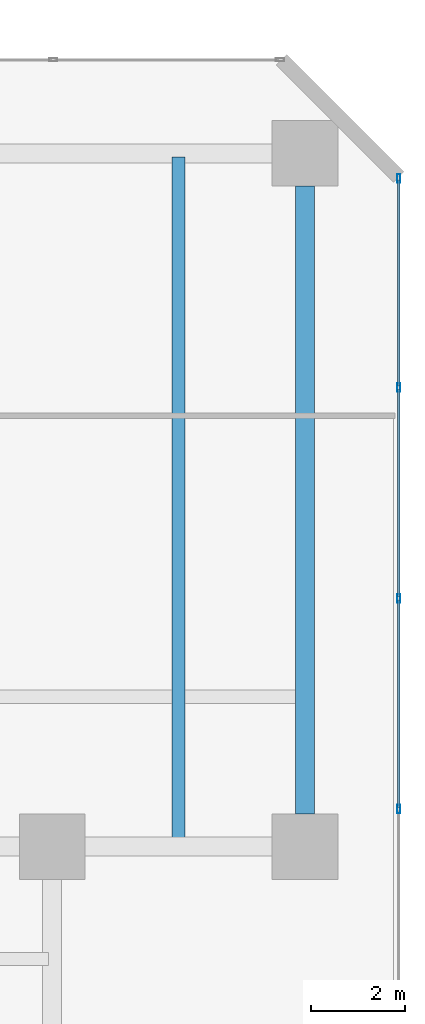
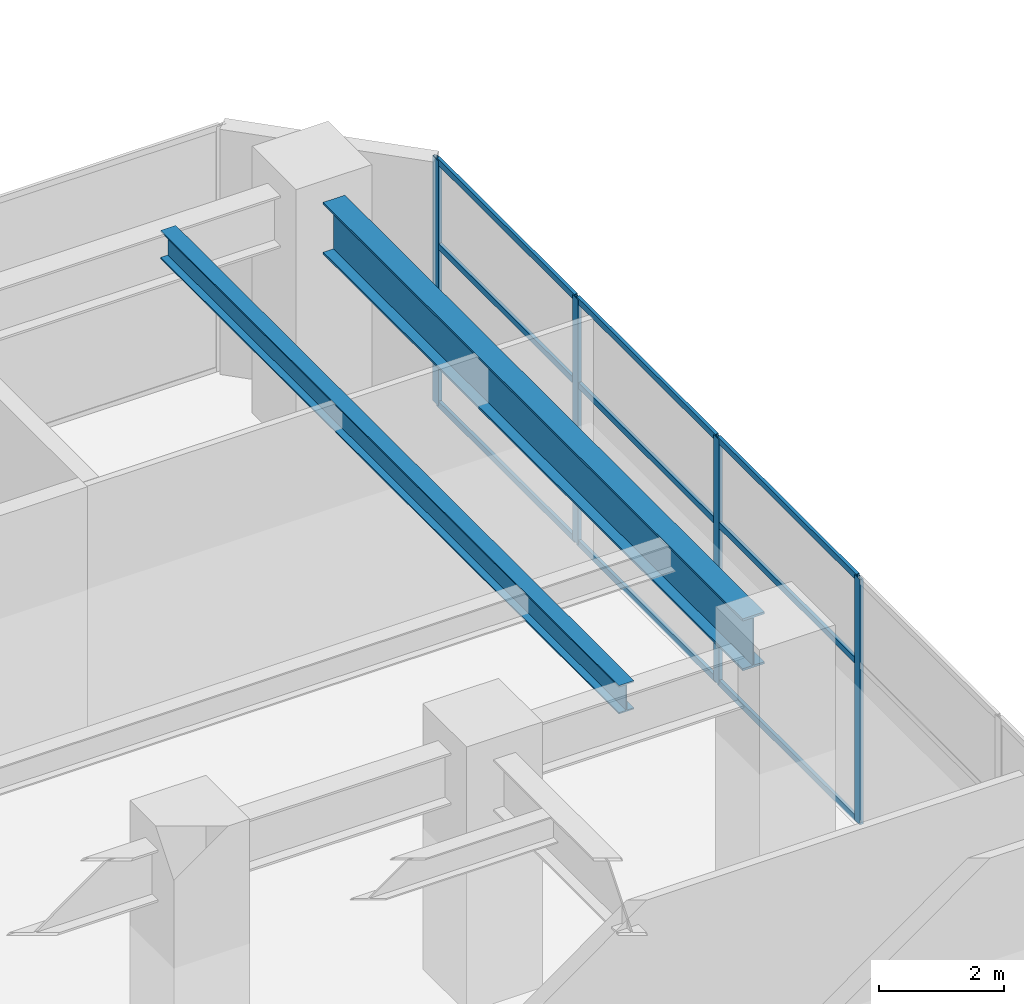
# One storey, part 11 of 29: 13 members, 2 beams, 1 element without a shape of its own.
"""IFC4 building model written with IfcOpenShell, lengths in metres."""

from ifc_helpers import new_model, si_unit, direction, frame, origin, origin_2d, place, context, subcontext, project, spatial, hollow_rectangle, i_section, extrude, material, layer, layer_set, material_profile, profile_set, type_object, element, aggregate, save


model = new_model("IFC4")

# Units and contexts
model_context = context("Model", 3, precision=1e-05, world=origin(), true_north=direction((0.0, 1.0)))
body_context = subcontext(model_context, "Body", "Model", "MODEL_VIEW")
ifc_project = project(units=[si_unit("LENGTHUNIT", "METRE"), si_unit("AREAUNIT", "SQUARE_METRE"), si_unit("VOLUMEUNIT", "CUBIC_METRE"), si_unit("PLANEANGLEUNIT", "RADIAN"), si_unit("MASSUNIT", "GRAM", prefix="KILO")], contexts=[model_context])

# Site, building, storey
site_placement = place(None, origin())
site = spatial("IfcSite", under=ifc_project, at=site_placement, CompositionType="ELEMENT")
building_placement = place(site_placement, origin())
building = spatial("IfcBuilding", under=site, at=building_placement, Name="Mawjaban Terraces University", CompositionType="ELEMENT")
storey_placement = place(building_placement, frame((0.0, 0.0, 20.800048828125)))
storey = spatial("IfcBuildingStorey", under=building, at=storey_placement, Name="L04", CompositionType="ELEMENT", Elevation=20.800048828125)

# Beams
ifc_material_1 = material(Name="Steel ASTM A913 Grade 65", Category="steel")
ifc_material_profile_1 = material_profile(ifc_material_1, i_section(OverallWidth=0.402099609375, OverallDepth=1.011962890625, WebThickness=0.02392578125, FlangeThickness=0.0400390625, at=origin_2d()), Name="W1000X443")
ifc_profile_set_1 = profile_set([ifc_material_profile_1], Name="Steel ASTM A913 Grade 65")
beam_type_1 = type_object("IfcBeamType", Name="Beam_B_W1000X443", PredefinedType="BEAM", material=ifc_profile_set_1)
beam_1_placement = place(storey_placement, frame((74.0, 15.89990234375, 4.27392578125), z_axis=(0.0, 1.0, 0.0), x_axis=(-1.0, 0.0, 0.0)))
element("IfcBeam", 1, at=beam_1_placement, inside=storey, type_object=beam_type_1, Name="L04 Beam BM-L04-NS-20", PredefinedType="BEAM", context=body_context, shape_type="SweptSolid", body=[
    extrude(i_section(OverallWidth=0.402099609375, OverallDepth=1.011962890625, WebThickness=0.02392578125, FlangeThickness=0.0400390625, at=origin_2d()), origin(), (0.0, 0.0, 1.0), 13.400146484375),
])
ifc_material_2 = material(Name="Steel ASTM A572 Grade 50", Category="steel")
ifc_material_profile_2 = material_profile(ifc_material_2, i_section(OverallWidth=0.281005859375, OverallDepth=0.551025390625, WebThickness=0.01513671875, FlangeThickness=0.02587890625, at=origin_2d()), Name="W530X182")
ifc_profile_set_2 = profile_set([ifc_material_profile_2], Name="Steel ASTM A572 Grade 50")
beam_type_2 = type_object("IfcBeamType", Name="Beam_J_W530X182", PredefinedType="JOIST", material=ifc_profile_set_2)
beam_2_placement = place(storey_placement, frame((71.300048828125, 15.280029296875, 4.50390625), z_axis=(0.0, 1.0, 0.0), x_axis=(-1.0, 0.0, 0.0)))
element("IfcBeam", 2, at=beam_2_placement, inside=storey, type_object=beam_type_2, Name="L04 Composite Joist JST-L04-NS-27", PredefinedType="JOIST", context=body_context, shape_type="SweptSolid", body=[
    extrude(i_section(OverallWidth=0.281005859375, OverallDepth=0.551025390625, WebThickness=0.01513671875, FlangeThickness=0.02587890625, at=origin_2d()), origin(), (0.0, 0.0, 1.0), 14.639892578125),
])

# Curtain wall, members
ifc_material_3 = material(Name="Anodised aluminium 6063-T6 and solar-control low-E glass", Category="aluminium")
ifc_layer = layer(ifc_material_3, 0.175048828125)
ifc_layer_set = layer_set([ifc_layer], Name="Anodised aluminium 6063-T6 and solar-control low-E glass")
curtain_wall_type = type_object("IfcCurtainWallType", Name="CWSystem_02_PodiumLibrary", PredefinedType="NOTDEFINED", material=ifc_layer_set)
curtain_wall_placement = place(storey_placement, origin())
curtain_wall = element("IfcCurtainWall", 3, at=curtain_wall_placement, inside=storey, type_object=curtain_wall_type, Name="L04 Curtain Wall CW-02 Run 3.1", PredefinedType="NOTDEFINED")
ifc_material_4 = material(Name="Anodised aluminium 6063-T6", Category="aluminium")
ifc_material_profile_3 = material_profile(ifc_material_4, hollow_rectangle(XDim=0.06494140625, YDim=0.179931640625, WallThickness=0.00390625, at=origin_2d()), Name="ALU180X65X4")
ifc_profile_set_3 = profile_set([ifc_material_profile_3], Name="Anodised aluminium 6063-T6")
member_type_1 = type_object("IfcMemberType", Name="Mullion_CW-02", PredefinedType="MULLION", material=ifc_profile_set_3)
member_1_placement = place(storey_placement, frame((76.0, 16.0, 0.0), z_axis=(0.0, 0.0, 1.0), x_axis=(-1.0, 0.0, 0.0)))
member_1 = element("IfcMember", 4, at=member_1_placement, type_object=member_type_1, Name="CW-02 mullion 4", PredefinedType="MULLION", context=body_context, shape_type="SweptSolid", body=[
    extrude(hollow_rectangle(XDim=0.06494140625, YDim=0.179931640625, WallThickness=0.00390625, at=origin_2d()), origin(), (0.0, 0.0, 1.0), 4.780029296875),
])
member_2_placement = place(storey_placement, frame((76.0, 20.5, 0.0), z_axis=(0.0, 0.0, 1.0), x_axis=(-1.0, 0.0, 0.0)))
member_2 = element("IfcMember", 5, at=member_2_placement, type_object=member_type_1, Name="CW-02 mullion 5", PredefinedType="MULLION", context=body_context, shape_type="SweptSolid", body=[
    extrude(hollow_rectangle(XDim=0.06494140625, YDim=0.179931640625, WallThickness=0.00390625, at=origin_2d()), origin(), (0.0, 0.0, 1.0), 4.780029296875),
])
member_3_placement = place(storey_placement, frame((76.0, 25.0, 0.0), z_axis=(0.0, 0.0, 1.0), x_axis=(-1.0, 0.0, 0.0)))
member_3 = element("IfcMember", 6, at=member_3_placement, type_object=member_type_1, Name="CW-02 mullion 6", PredefinedType="MULLION", context=body_context, shape_type="SweptSolid", body=[
    extrude(hollow_rectangle(XDim=0.06494140625, YDim=0.179931640625, WallThickness=0.00390625, at=origin_2d()), origin(), (0.0, 0.0, 1.0), 4.780029296875),
])
member_4_placement = place(storey_placement, frame((76.0, 29.467529296875, 0.0), z_axis=(0.0, 0.0, 1.0), x_axis=(-1.0, 0.0, 0.0)))
member_4 = element("IfcMember", 7, at=member_4_placement, type_object=member_type_1, Name="CW-02 mullion 7", PredefinedType="MULLION", context=body_context, shape_type="SweptSolid", body=[
    extrude(hollow_rectangle(XDim=0.06494140625, YDim=0.179931640625, WallThickness=0.00390625, at=origin_2d()), origin(), (0.0, 0.0, 1.0), 4.780029296875),
])
ifc_material_profile_4 = material_profile(ifc_material_4, hollow_rectangle(XDim=0.06005859375, YDim=0.1201171875, WallThickness=0.00341796875, at=origin_2d()), Name="ALU120X60X3.5")
ifc_profile_set_4 = profile_set([ifc_material_profile_4], Name="Anodised aluminium 6063-T6")
member_type_2 = type_object("IfcMemberType", Name="Transom_CW-02", PredefinedType="NOTDEFINED", material=ifc_profile_set_4)
member_5_placement = place(storey_placement, frame((76.0, 16.032470703125, 0.030029296875), z_axis=(0.0, 1.0, 0.0), x_axis=(-1.0, 0.0, 0.0)))
member_5 = element("IfcMember", 8, at=member_5_placement, type_object=member_type_2, Name="CW-02 transom 4.1", ObjectType="TRANSOM", PredefinedType="USERDEFINED", context=body_context, shape_type="SweptSolid", body=[
    extrude(hollow_rectangle(XDim=0.06005859375, YDim=0.1201171875, WallThickness=0.00341796875, at=origin_2d()), origin(), (0.0, 0.0, 1.0), 4.43505859375),
])
member_6_placement = place(storey_placement, frame((76.0, 16.032470703125, 3.10693359375), z_axis=(0.0, 1.0, 0.0), x_axis=(-1.0, 0.0, 0.0)))
member_6 = element("IfcMember", 9, at=member_6_placement, type_object=member_type_2, Name="CW-02 transom 4.2", ObjectType="TRANSOM", PredefinedType="USERDEFINED", context=body_context, shape_type="SweptSolid", body=[
    extrude(hollow_rectangle(XDim=0.06005859375, YDim=0.1201171875, WallThickness=0.00341796875, at=origin_2d()), origin(), (0.0, 0.0, 1.0), 4.43505859375),
])
member_7_placement = place(storey_placement, frame((76.0, 16.032470703125, 4.75), z_axis=(0.0, 1.0, 0.0), x_axis=(-1.0, 0.0, 0.0)))
member_7 = element("IfcMember", 10, at=member_7_placement, type_object=member_type_2, Name="CW-02 transom 4.3", ObjectType="TRANSOM", PredefinedType="USERDEFINED", context=body_context, shape_type="SweptSolid", body=[
    extrude(hollow_rectangle(XDim=0.06005859375, YDim=0.1201171875, WallThickness=0.00341796875, at=origin_2d()), origin(), (0.0, 0.0, 1.0), 4.43505859375),
])
member_8_placement = place(storey_placement, frame((76.0, 20.532470703125, 0.030029296875), z_axis=(0.0, 1.0, 0.0), x_axis=(-1.0, 0.0, 0.0)))
member_8 = element("IfcMember", 11, at=member_8_placement, type_object=member_type_2, Name="CW-02 transom 5.1", ObjectType="TRANSOM", PredefinedType="USERDEFINED", context=body_context, shape_type="SweptSolid", body=[
    extrude(hollow_rectangle(XDim=0.06005859375, YDim=0.1201171875, WallThickness=0.00341796875, at=origin_2d()), origin(), (0.0, 0.0, 1.0), 4.43505859375),
])
member_9_placement = place(storey_placement, frame((76.0, 20.532470703125, 3.10693359375), z_axis=(0.0, 1.0, 0.0), x_axis=(-1.0, 0.0, 0.0)))
member_9 = element("IfcMember", 12, at=member_9_placement, type_object=member_type_2, Name="CW-02 transom 5.2", ObjectType="TRANSOM", PredefinedType="USERDEFINED", context=body_context, shape_type="SweptSolid", body=[
    extrude(hollow_rectangle(XDim=0.06005859375, YDim=0.1201171875, WallThickness=0.00341796875, at=origin_2d()), origin(), (0.0, 0.0, 1.0), 4.43505859375),
])
member_10_placement = place(storey_placement, frame((76.0, 20.532470703125, 4.75), z_axis=(0.0, 1.0, 0.0), x_axis=(-1.0, 0.0, 0.0)))
member_10 = element("IfcMember", 13, at=member_10_placement, type_object=member_type_2, Name="CW-02 transom 5.3", ObjectType="TRANSOM", PredefinedType="USERDEFINED", context=body_context, shape_type="SweptSolid", body=[
    extrude(hollow_rectangle(XDim=0.06005859375, YDim=0.1201171875, WallThickness=0.00341796875, at=origin_2d()), origin(), (0.0, 0.0, 1.0), 4.43505859375),
])
member_11_placement = place(storey_placement, frame((76.0, 25.032470703125, 0.030029296875), z_axis=(0.0, 1.0, 0.0), x_axis=(-1.0, 0.0, 0.0)))
member_11 = element("IfcMember", 14, at=member_11_placement, type_object=member_type_2, Name="CW-02 transom 6.1", ObjectType="TRANSOM", PredefinedType="USERDEFINED", context=body_context, shape_type="SweptSolid", body=[
    extrude(hollow_rectangle(XDim=0.06005859375, YDim=0.1201171875, WallThickness=0.00341796875, at=origin_2d()), origin(), (0.0, 0.0, 1.0), 4.402587890625),
])
member_12_placement = place(storey_placement, frame((76.0, 25.032470703125, 3.10693359375), z_axis=(0.0, 1.0, 0.0), x_axis=(-1.0, 0.0, 0.0)))
member_12 = element("IfcMember", 15, at=member_12_placement, type_object=member_type_2, Name="CW-02 transom 6.2", ObjectType="TRANSOM", PredefinedType="USERDEFINED", context=body_context, shape_type="SweptSolid", body=[
    extrude(hollow_rectangle(XDim=0.06005859375, YDim=0.1201171875, WallThickness=0.00341796875, at=origin_2d()), origin(), (0.0, 0.0, 1.0), 4.402587890625),
])
member_13_placement = place(storey_placement, frame((76.0, 25.032470703125, 4.75), z_axis=(0.0, 1.0, 0.0), x_axis=(-1.0, 0.0, 0.0)))
member_13 = element("IfcMember", 16, at=member_13_placement, type_object=member_type_2, Name="CW-02 transom 6.3", ObjectType="TRANSOM", PredefinedType="USERDEFINED", context=body_context, shape_type="SweptSolid", body=[
    extrude(hollow_rectangle(XDim=0.06005859375, YDim=0.1201171875, WallThickness=0.00341796875, at=origin_2d()), origin(), (0.0, 0.0, 1.0), 4.402587890625),
])
aggregate(curtain_wall, [member_1, member_2, member_3, member_4, member_5, member_6, member_7, member_8, member_9, member_10, member_11, member_12, member_13])

save(model, "model.ifc")
